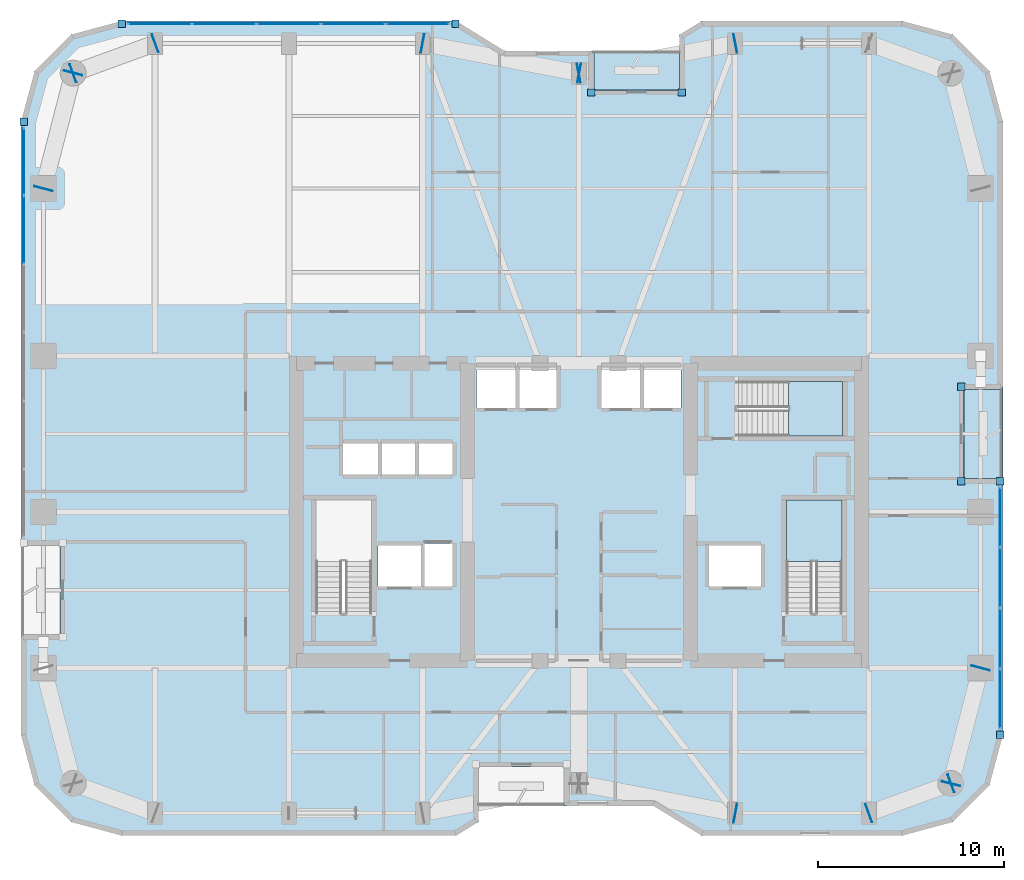
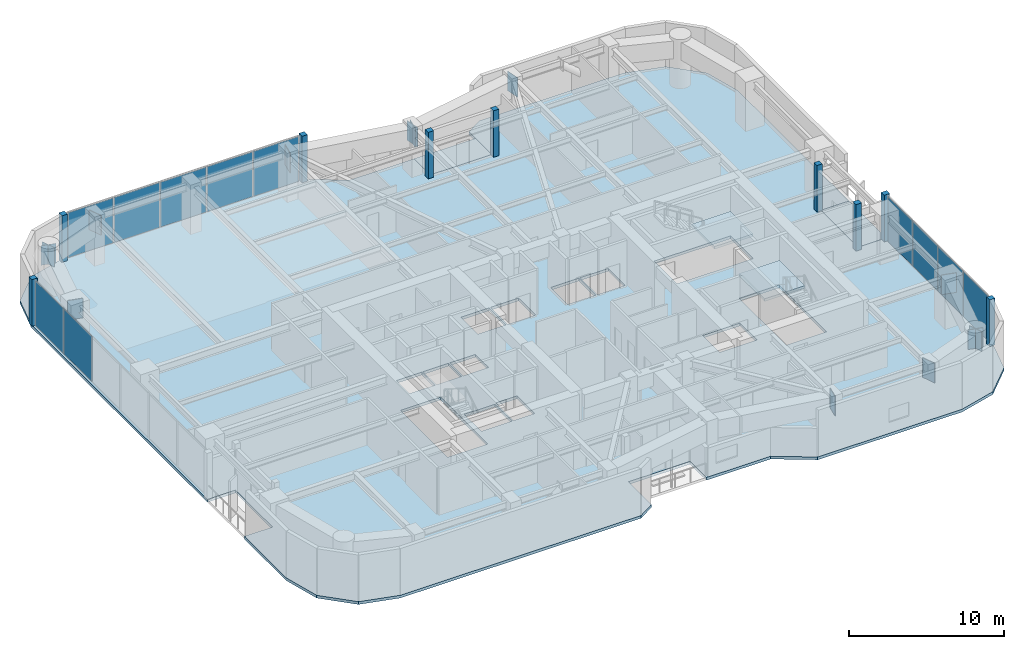
# One storey, part 22 of 30: 33 plates, 5 slabs, 5 elements without a shape of their own.
"""IFC4 building model written with IfcOpenShell, lengths in metres."""

import ifcopenshell
import ifcopenshell.guid

model = None  # the IFC model being written
_history = None  # IfcOwnerHistory: only IFC2X3 demands one
_inside = {}  # id of a spatial element -> (the spatial element, [elements in it])
_under = {}  # id of a project, library or spatial element -> (it, [spatial elements below it])
_declared = {}  # id of a project -> (the project, [libraries it declares])
_typed = {}  # id of a type object -> (the type object, [elements of that type])
_made_of = {}  # id of a material, layer set ... -> (it, [elements and type objects made of it])


def new_model(schema):
    """Start an empty IFC model of exactly this schema.

    Asked for "IFC4X3", IfcOpenShell would pick the latest addendum, in which some entities
    have other attributes; the version numbers below select the first issue.
    IFC2X3 requires an IfcOwnerHistory on every rooted entity: one is made here for all.
    """
    global model, _history
    if schema == "IFC4X3":
        model = ifcopenshell.file(schema_version=(4, 3, 0, 0))
    else:
        model = ifcopenshell.file(schema=schema)
    _inside.clear()
    _under.clear()
    _declared.clear()
    _typed.clear()
    _made_of.clear()
    _history = None
    if model.schema == "IFC2X3":
        org = make("IfcOrganization", Name="unknown")
        user = make(
            "IfcPersonAndOrganization",
            ThePerson=make("IfcPerson", FamilyName="unknown"),
            TheOrganization=org,
        )
        app = make(
            "IfcApplication",
            ApplicationDeveloper=org,
            Version="unknown",
            ApplicationFullName="unknown",
            ApplicationIdentifier="unknown",
        )
        _history = make(
            "IfcOwnerHistory",
            OwningUser=user,
            OwningApplication=app,
            ChangeAction="ADDED",
            CreationDate=0,
        )
    return model


def make(cls, **values):
    """One entity of the class cls with the attributes given. An attribute that is None is left unset."""
    return model.create_entity(
        cls, **{name: value for name, value in values.items() if value is not None}
    )


def rooted(cls, **values):
    """An entity with a GlobalId (a new one), such as an element, a storey or a relation."""
    return make(cls, GlobalId=ifcopenshell.guid.new(), OwnerHistory=_history, **values)


def si_unit(unit_type, name, prefix=None):
    """IfcSIUnit, for example si_unit("LENGTHUNIT", "METRE", prefix="MILLI")."""
    return make("IfcSIUnit", UnitType=unit_type, Prefix=prefix, Name=name)


def assignment(units):
    """IfcUnitAssignment: the units of a project."""
    return None if units is None else make("IfcUnitAssignment", Units=units)


def point(xyz):
    """IfcCartesianPoint."""
    return None if xyz is None else make("IfcCartesianPoint", Coordinates=xyz)


def direction(xyz):
    """IfcDirection."""
    return None if xyz is None else make("IfcDirection", DirectionRatios=xyz)


def frame(location, z_axis=None, x_axis=None):
    """IfcAxis2Placement3D, a coordinate frame: its origin and axes. An axis left out is left unset."""
    return make(
        "IfcAxis2Placement3D",
        Location=point(location),
        Axis=direction(z_axis),
        RefDirection=direction(x_axis),
    )


def frame_2d(location, x_axis=None):
    """IfcAxis2Placement2D, a coordinate frame in the plane: its origin and x axis."""
    return make(
        "IfcAxis2Placement2D", Location=point(location), RefDirection=direction(x_axis)
    )


def origin():
    """The frame at (0, 0, 0) with its axes left unset."""
    return frame((0.0, 0.0, 0.0))


def origin_2d():
    """The frame at (0, 0) in the plane with its x axis left unset."""
    return frame_2d((0.0, 0.0))


def place(relative_to, where):
    """IfcLocalPlacement: puts the frame where relative to a parent placement (None: the world)."""
    return make(
        "IfcLocalPlacement", PlacementRelTo=relative_to, RelativePlacement=where
    )


def context(
    kind, dimensions, precision=None, world=None, true_north=None, identifier=None
):
    """IfcGeometricRepresentationContext, for example the 3D "Model" context."""
    return make(
        "IfcGeometricRepresentationContext",
        ContextIdentifier=identifier,
        ContextType=kind,
        CoordinateSpaceDimension=dimensions,
        Precision=precision,
        WorldCoordinateSystem=world,
        TrueNorth=true_north,
    )


def subcontext(parent, identifier, kind, view, scale=None):
    """IfcGeometricRepresentationSubContext, for example "Body" below "Model"."""
    return make(
        "IfcGeometricRepresentationSubContext",
        ContextIdentifier=identifier,
        ContextType=kind,
        ParentContext=parent,
        TargetScale=scale,
        TargetView=view,
    )


def project(units=None, contexts=None):
    """IfcProject with its units and contexts."""
    return rooted(
        "IfcProject",
        Name="project",
        RepresentationContexts=contexts,
        UnitsInContext=assignment(units),
    )


def spatial(cls, under=None, at=None, **own):
    """A site, building, storey or space (cls), placed at a placement, below another one or the project."""
    s = rooted(cls, ObjectPlacement=at, **own)
    if under is not None:
        _under.setdefault(under.id(), (under, []))[1].append(s)
    return s


def polyline(points):
    """IfcPolyline through the points."""
    return make("IfcPolyline", Points=[point(p) for p in points])


def profile(cls, at=None, kind="AREA", **sizes):
    """A parametric profile (cls). Its sizes go by their IFC names, for example OverallWidth=200.0."""
    return make(cls, ProfileType=kind, Position=at, **sizes)


def rectangle(**sizes):
    """IfcRectangleProfileDef."""
    return profile("IfcRectangleProfileDef", **sizes)


def outline(outer, holes=None, kind="AREA"):
    """IfcArbitraryClosedProfileDef: a profile drawn as a closed curve; with holes, ...WithVoids."""
    if holes is None:
        return make("IfcArbitraryClosedProfileDef", ProfileType=kind, OuterCurve=outer)
    return make(
        "IfcArbitraryProfileDefWithVoids",
        ProfileType=kind,
        OuterCurve=outer,
        InnerCurves=holes,
    )


def extrude(swept, where, along, depth):
    """IfcExtrudedAreaSolid: the profile swept, set in the frame where, extruded along a direction by depth."""
    return make(
        "IfcExtrudedAreaSolid",
        SweptArea=swept,
        Position=where,
        ExtrudedDirection=direction(along),
        Depth=depth,
    )


def shape(context_of_items, identifier, shape_type, items):
    """IfcShapeRepresentation: the items that make up one representation, for example the "Body"."""
    return make(
        "IfcShapeRepresentation",
        ContextOfItems=context_of_items,
        RepresentationIdentifier=identifier,
        RepresentationType=shape_type,
        Items=items,
    )


def material(Name=None, Category=None):
    """IfcMaterial."""
    return make("IfcMaterial", Name=Name, Category=Category)


def layer(
    of_material, thickness, ventilated=None, Name=None, Category=None, Priority=None
):
    """IfcMaterialLayer: one layer of a wall or slab, of a material (None: an air gap)."""
    return make(
        "IfcMaterialLayer",
        Material=of_material,
        LayerThickness=thickness,
        IsVentilated=ventilated,
        Name=Name,
        Category=Category,
        Priority=Priority,
    )


def layer_set(layers, Name=None):
    """IfcMaterialLayerSet."""
    return make("IfcMaterialLayerSet", MaterialLayers=layers, LayerSetName=Name)


def made_of(thing, what):
    """Note that an element or type object is made of a material, layer set ...; save() writes the relation."""
    if what is not None:
        _made_of.setdefault(what.id(), (what, []))[1].append(thing)
    return thing


def type_object(cls, material=None, **own):
    """A type object (cls), such as IfcWallType, which elements share."""
    return made_of(rooted(cls, **own), material)


def element(
    cls,
    number,
    at=None,
    inside=None,
    cuts=None,
    type_object=None,
    material=None,
    context=None,
    identifier="Body",
    shape_type=None,
    held_by="IfcProductDefinitionShape",
    body=None,
    shapes=None,
    **own,
):
    """One element of the class cls, such as IfcWall. Its Tag is "e" and its number.

    at: its placement. inside: the storey or other place that contains it. cuts: it is an
    opening in that element (IfcRelVoidsElement). A single representation is given by context,
    identifier, shape_type and body (its items); several are given by shapes. held_by: the class
    of the entity that holds the representations. save() writes the other relations.
    """
    e = rooted(cls, Tag="e%d" % number, ObjectPlacement=at, **own)
    if body is not None:
        shapes = [shape(context, identifier, shape_type, body)]
    if shapes is not None:
        e.Representation = make(held_by, Representations=shapes)
    if inside is not None:
        _inside.setdefault(inside.id(), (inside, []))[1].append(e)
    if cuts is not None:
        rooted(
            "IfcRelVoidsElement", RelatingBuildingElement=cuts, RelatedOpeningElement=e
        )
    if type_object is not None:
        _typed.setdefault(type_object.id(), (type_object, []))[1].append(e)
    return made_of(e, material)


def aggregate(whole, parts):
    """IfcRelAggregates: a whole, such as a stair, and the parts it consists of."""
    return rooted("IfcRelAggregates", RelatingObject=whole, RelatedObjects=parts)


def save(model, path):
    """Write the relations noted so far, then the file.

    IfcRelAggregates (storeys below a building ...), IfcRelContainedInSpatialStructure (elements
    in a storey), IfcRelDefinesByType, IfcRelAssociatesMaterial and IfcRelDeclares: one each for
    every whole, place, type object, material and project.
    """
    for whole, parts in _under.values():
        aggregate(whole, parts)
    for where, things in _inside.values():
        rooted(
            "IfcRelContainedInSpatialStructure",
            RelatedElements=things,
            RelatingStructure=where,
        )
    for kind, things in _typed.values():
        rooted("IfcRelDefinesByType", RelatedObjects=things, RelatingType=kind)
    for what, things in _made_of.values():
        rooted("IfcRelAssociatesMaterial", RelatedObjects=things, RelatingMaterial=what)
    for by, libraries in _declared.values():
        rooted("IfcRelDeclares", RelatingContext=by, RelatedDefinitions=libraries)
    model.write(path)


model = new_model("IFC4")

# Units and contexts
model_context = context("Model", 3, precision=1e-05, world=origin(), true_north=direction((0.0, 1.0)))
body_context = subcontext(model_context, "Body", "Model", "MODEL_VIEW")
ifc_project = project(units=[si_unit("LENGTHUNIT", "METRE"), si_unit("AREAUNIT", "SQUARE_METRE"), si_unit("VOLUMEUNIT", "CUBIC_METRE"), si_unit("PLANEANGLEUNIT", "RADIAN"), si_unit("MASSUNIT", "GRAM", prefix="KILO")], contexts=[model_context])

# Site, building, storey
site_placement = place(None, origin())
site = spatial("IfcSite", under=ifc_project, at=site_placement, CompositionType="ELEMENT")
building_placement = place(site_placement, origin())
building = spatial("IfcBuilding", under=site, at=building_placement, Name="Kiyonajd Concourse Tower", CompositionType="ELEMENT")
storey_placement = place(building_placement, frame((0.0, 0.0, 150.60009765625)))
storey = spatial("IfcBuildingStorey", under=building, at=storey_placement, Name="L38", CompositionType="ELEMENT", Elevation=150.60009765625)

# Plates
ifc_material_1 = material(Name="Steel ASTM A572 Grade 50", Category="steel")
ifc_layer_1 = layer(ifc_material_1, 0.031982421875)
ifc_layer_set_1 = layer_set([ifc_layer_1], Name="Steel ASTM A572 Grade 50")
plate_type_1 = type_object("IfcPlateType", Name="PL-CAP-540", PredefinedType="USERDEFINED", material=ifc_layer_set_1)
for number, where, z_axis, x_axis, name in (
    (1, (56.410888671875, 19.7978515625, 2.2099609375), (0.0, 0.0, 1.0), (0.982352599301, -0.187038420242, 0.0), "L38 Welded Box Girder End Cap"),
    (2, (63.589599609375, 19.796142578125, 2.2099609375), (0.0, 0.0, 1.0), (-0.939811951086, -0.341692107891, 0.0), "L38 Welded Box Girder End Cap"),
    (3, (68.01025390625, 21.40380859375, 2.2099609375), (0.0, 0.0, 1.0), (0.939811951086, 0.341692107891, 0.0), "L38 Welded Box Girder End Cap"),
    (4, (67.997314453125, 21.389404296875, 2.2099609375), (0.0, 0.0, 1.0), (-0.249873048837, -0.968278606324, 0.0), "L38 Welded Box Girder End Cap"),
    (5, (69.602783203125, 27.610595703125, 2.2099609375), (0.0, 0.0, 1.0), (0.249873048837, 0.968278606324, 0.0), "L38 Welded Box Girder End Cap"),
    (6, (56.410888671875, 61.2021484375, 2.2099609375), (0.0, 0.0, 1.0), (0.982352599301, 0.187038420242, 0.0), "L38 Welded Box Girder End Cap"),
    (7, (47.9892578125, 59.597900390625, 2.2099609375), (0.0, 0.0, 1.0), (-0.982352599301, -0.187038420242, 0.0), "L38 Welded Box Girder End Cap"),
    (8, (48.0107421875, 59.597900390625, 2.2099609375), (0.0, 0.0, 1.0), (0.982352599301, -0.187038420242, 0.0), "L38 Welded Box Girder End Cap"),
    (9, (39.589111328125, 61.2021484375, 2.2099609375), (0.0, 0.0, 1.0), (-0.982352599301, 0.187038420242, 0.0), "L38 Welded Box Girder End Cap"),
    (10, (25.210205078125, 61.203857421875, 2.2099609375), (0.0, 0.0, 1.0), (0.939811951086, 0.341692107891, 0.0), "L38 Welded Box Girder End Cap"),
    (11, (20.789794921875, 59.59619140625, 2.2099609375), (0.0, 0.0, 1.0), (-0.939811951086, -0.341692107891, 0.0), "L38 Welded Box Girder End Cap"),
    (12, (20.802734375, 59.610595703125, 2.2099609375), (0.0, 0.0, 1.0), (0.249873048837, 0.968278606324, 0.0), "L38 Welded Box Girder End Cap"),
    (13, (19.197265625, 53.389404296875, 2.2099609375), (0.0, 0.0, 1.0), (-0.249873048837, -0.968278606324, 0.0), "L38 Welded Box Girder End Cap"),
):
    element("IfcPlate", number, at=place(storey_placement, frame(where, z_axis=z_axis, x_axis=x_axis)), inside=storey, type_object=plate_type_1, Name=name, ObjectType="CAP PLATE", PredefinedType="USERDEFINED", context=body_context, shape_type="SweptSolid", body=[
        extrude(rectangle(XDim=0.035888671875, YDim=1.02001953125, at=origin_2d()), origin(), (0.0, 0.0, 1.0), 1.5400390625),
    ])

# Curtain wall, plates
ifc_material_2 = material(Name="Thermally Broken Anodised Aluminium", Category="aluminium")
ifc_layer_2 = layer(ifc_material_2, 0.179931640625)
ifc_layer_set_2 = layer_set([ifc_layer_2], Name="Thermally Broken Anodised Aluminium")
curtain_wall_type = type_object("IfcCurtainWallType", Name="CW-SYS-03", PredefinedType="NOTDEFINED", material=ifc_layer_set_2)
curtain_wall_1_placement = place(storey_placement, origin())
curtain_wall_1 = element("IfcCurtainWall", 14, at=curtain_wall_1_placement, inside=storey, type_object=curtain_wall_type, Name="L38 Unitised Curtain Wall CW3", PredefinedType="NOTDEFINED")
ifc_material_3 = material(Name="Double Low-E Insulated Glass", Category="glass")
ifc_layer_3 = layer(ifc_material_3, 0.033935546875)
ifc_layer_set_3 = layer_set([ifc_layer_3], Name="Double Low-E Insulated Glass")
plate_type_2 = type_object("IfcPlateType", Name="PL-CW-VIS34", PredefinedType="CURTAIN_PANEL", material=ifc_layer_set_3)
plate_1_placement = place(storey_placement, frame((18.139892578125, 51.17626953125, 0.06494140625), z_axis=(0.0, 0.0, 1.0), x_axis=(0.0, 1.0, 0.0)))
plate_1 = element("IfcPlate", 15, at=plate_1_placement, type_object=plate_type_2, Name="CW3 panel 5.1", PredefinedType="CURTAIN_PANEL", context=body_context, shape_type="SweptSolid", body=[
    extrude(rectangle(XDim=3.61181640625, YDim=0.033935546875, at=origin_2d()), origin(), (0.0, 0.0, 1.0), 3.550048828125),
])
plate_2_placement = place(storey_placement, frame((18.139892578125, 54.8369140625, 0.06494140625), z_axis=(0.0, 0.0, 1.0), x_axis=(0.0, 1.0, 0.0)))
plate_2 = element("IfcPlate", 16, at=plate_2_placement, type_object=plate_type_2, Name="CW3 panel 6.1", PredefinedType="CURTAIN_PANEL", context=body_context, shape_type="SweptSolid", body=[
    extrude(rectangle(XDim=3.579345703125, YDim=0.033935546875, at=origin_2d()), origin(), (0.0, 0.0, 1.0), 3.550048828125),
])
aggregate(curtain_wall_1, [plate_1, plate_2])

curtain_wall_2_placement = place(storey_placement, origin())
curtain_wall_2 = element("IfcCurtainWall", 17, at=curtain_wall_2_placement, inside=storey, type_object=curtain_wall_type, Name="L38 Unitised Curtain Wall CW3", PredefinedType="NOTDEFINED")
plate_3_placement = place(storey_placement, frame((25.4609375, 62.260009765625, 0.06494140625), z_axis=(0.0, 0.0, 1.0), x_axis=(1.0, 0.0, 0.0)))
plate_3 = element("IfcPlate", 18, at=plate_3_placement, type_object=plate_type_2, Name="CW3 panel 1.1", PredefinedType="CURTAIN_PANEL", context=body_context, shape_type="SweptSolid", body=[
    extrude(rectangle(XDim=3.375, YDim=0.033935546875, at=origin_2d()), origin(), (0.0, 0.0, 1.0), 3.550048828125),
])
plate_4_placement = place(storey_placement, frame((28.9169921875, 62.260009765625, 0.06494140625), z_axis=(0.0, 0.0, 1.0), x_axis=(1.0, 0.0, 0.0)))
plate_4 = element("IfcPlate", 19, at=plate_4_placement, type_object=plate_type_2, Name="CW3 panel 2.1", PredefinedType="CURTAIN_PANEL", context=body_context, shape_type="SweptSolid", body=[
    extrude(rectangle(XDim=3.407470703125, YDim=0.033935546875, at=origin_2d()), origin(), (0.0, 0.0, 1.0), 3.550048828125),
])
plate_5_placement = place(storey_placement, frame((32.389404296875, 62.260009765625, 0.06494140625), z_axis=(0.0, 0.0, 1.0), x_axis=(1.0, 0.0, 0.0)))
plate_5 = element("IfcPlate", 20, at=plate_5_placement, type_object=plate_type_2, Name="CW3 panel 3.1", PredefinedType="CURTAIN_PANEL", context=body_context, shape_type="SweptSolid", body=[
    extrude(rectangle(XDim=3.407470703125, YDim=0.033935546875, at=origin_2d()), origin(), (0.0, 0.0, 1.0), 3.550048828125),
])
plate_6_placement = place(storey_placement, frame((35.86181640625, 62.260009765625, 0.06494140625), z_axis=(0.0, 0.0, 1.0), x_axis=(1.0, 0.0, 0.0)))
plate_6 = element("IfcPlate", 21, at=plate_6_placement, type_object=plate_type_2, Name="CW3 panel 4.1", PredefinedType="CURTAIN_PANEL", context=body_context, shape_type="SweptSolid", body=[
    extrude(rectangle(XDim=3.407470703125, YDim=0.033935546875, at=origin_2d()), origin(), (0.0, 0.0, 1.0), 3.550048828125),
])
plate_7_placement = place(storey_placement, frame((39.31787109375, 62.260009765625, 0.06494140625), z_axis=(0.0, 0.0, 1.0), x_axis=(1.0, 0.0, 0.0)))
plate_7 = element("IfcPlate", 22, at=plate_7_placement, type_object=plate_type_2, Name="CW3 panel 5.1", PredefinedType="CURTAIN_PANEL", context=body_context, shape_type="SweptSolid", body=[
    extrude(rectangle(XDim=3.375, YDim=0.033935546875, at=origin_2d()), origin(), (0.0, 0.0, 1.0), 3.550048828125),
])
aggregate(curtain_wall_2, [plate_3, plate_4, plate_5, plate_6, plate_7])

curtain_wall_3_placement = place(storey_placement, origin())
curtain_wall_3 = element("IfcCurtainWall", 23, at=curtain_wall_3_placement, inside=storey, type_object=curtain_wall_type, Name="L38 Unitised Curtain Wall CW3", PredefinedType="NOTDEFINED")
plate_8_placement = place(storey_placement, frame((70.659912109375, 35.720947265625, 0.06494140625), z_axis=(0.0, 0.0, 1.0), x_axis=(0.0, -1.0, 0.0)))
plate_8 = element("IfcPlate", 24, at=plate_8_placement, type_object=plate_type_2, Name="CW3 panel 1.1", PredefinedType="CURTAIN_PANEL", context=body_context, shape_type="SweptSolid", body=[
    extrude(rectangle(XDim=3.16796875, YDim=0.033935546875, at=origin_2d()), origin(), (0.0, 0.0, 1.0), 3.550048828125),
])
plate_9_placement = place(storey_placement, frame((70.659912109375, 32.471923828125, 0.06494140625), z_axis=(0.0, 0.0, 1.0), x_axis=(0.0, -1.0, 0.0)))
plate_9 = element("IfcPlate", 25, at=plate_9_placement, type_object=plate_type_2, Name="CW3 panel 2.1", PredefinedType="CURTAIN_PANEL", context=body_context, shape_type="SweptSolid", body=[
    extrude(rectangle(XDim=3.200439453125, YDim=0.033935546875, at=origin_2d()), origin(), (0.0, 0.0, 1.0), 3.550048828125),
])
plate_10_placement = place(storey_placement, frame((70.659912109375, 29.20654296875, 0.06494140625), z_axis=(0.0, 0.0, 1.0), x_axis=(0.0, -1.0, 0.0)))
plate_10 = element("IfcPlate", 26, at=plate_10_placement, type_object=plate_type_2, Name="CW3 panel 3.1", PredefinedType="CURTAIN_PANEL", context=body_context, shape_type="SweptSolid", body=[
    extrude(rectangle(XDim=3.200439453125, YDim=0.033935546875, at=origin_2d()), origin(), (0.0, 0.0, 1.0), 3.550048828125),
])
plate_11_placement = place(storey_placement, frame((70.659912109375, 25.957275390625, 0.06494140625), z_axis=(0.0, 0.0, 1.0), x_axis=(0.0, -1.0, 0.0)))
plate_11 = element("IfcPlate", 27, at=plate_11_placement, type_object=plate_type_2, Name="CW3 panel 4.1", PredefinedType="CURTAIN_PANEL", context=body_context, shape_type="SweptSolid", body=[
    extrude(rectangle(XDim=3.16796875, YDim=0.033935546875, at=origin_2d()), origin(), (0.0, 0.0, 1.0), 3.550048828125),
])
aggregate(curtain_wall_3, [plate_8, plate_9, plate_10, plate_11])

# Plates
ifc_layer_4 = layer(ifc_material_2, 0.39990234375)
ifc_layer_set_4 = layer_set([ifc_layer_4], Name="Thermally Broken Anodised Aluminium")
plate_type_3 = type_object("IfcPlateType", Name="PL-JMB-400", PredefinedType="USERDEFINED", material=ifc_layer_set_4)
for number, where, z_axis, x_axis, name in (
    (28, (18.139892578125, 56.981689453125, 0.0), (0.0, 0.0, 1.0), (1.0, 0.0, 0.0), "L38 Facade Jamb Closure Plate 04"),
    (29, (23.41845703125, 62.260009765625, 0.0), (0.0, 0.0, 1.0), (1.0, 0.0, 0.0), "L38 Facade Jamb Closure Plate 05"),
    (30, (41.3603515625, 62.260009765625, 0.0), (0.0, 0.0, 1.0), (1.0, 0.0, 0.0), "L38 Facade Jamb Closure Plate 06"),
    (31, (48.659912109375, 58.56005859375, 0.0), (0.0, 0.0, 1.0), (1.0, 0.0, 0.0), "L38 Facade Jamb Closure Plate 07"),
    (32, (53.5400390625, 58.56005859375, 0.0), (0.0, 0.0, 1.0), (1.0, 0.0, 0.0), "L38 Facade Jamb Closure Plate 08"),
    (33, (68.56005859375, 42.739990234375, 0.0), (0.0, 0.0, 1.0), (1.0, 0.0, 0.0), "L38 Facade Jamb Closure Plate 09"),
    (34, (68.56005859375, 37.659912109375, 0.0), (0.0, 0.0, 1.0), (1.0, 0.0, 0.0), "L38 Facade Jamb Closure Plate 10"),
    (35, (70.659912109375, 37.659912109375, 0.0), (0.0, 0.0, 1.0), (1.0, 0.0, 0.0), "L38 Facade Jamb Closure Plate 11"),
    (36, (70.659912109375, 24.018310546875, 0.0), (0.0, 0.0, 1.0), (1.0, 0.0, 0.0), "L38 Facade Jamb Closure Plate 12"),
):
    element("IfcPlate", number, at=place(storey_placement, frame(where, z_axis=z_axis, x_axis=x_axis)), inside=storey, type_object=plate_type_3, Name=name, ObjectType="JAMB PLATE", PredefinedType="USERDEFINED", context=body_context, shape_type="SweptSolid", body=[
        extrude(rectangle(XDim=0.39990234375, YDim=0.39990234375, at=origin_2d()), origin(), (0.0, 0.0, 1.0), 3.679931640625),
    ])

# Stair, slab
ifc_material_4 = material(Name="Concrete C40/50", Category="concrete")
stair_type = type_object("IfcStairType", Name="ST-DLG-22R", PredefinedType="HALF_TURN_STAIR", material=ifc_material_4)
stair_1_placement = place(storey_placement, origin())
stair_1 = element("IfcStair", 37, at=stair_1_placement, inside=storey, type_object=stair_type, Name="L38 Protected Exit Stair ST2", PredefinedType="HALF_TURN_STAIR")
ifc_layer_5 = layer(ifc_material_4, 0.199951171875)
ifc_layer_set_5 = layer_set([ifc_layer_5], Name="Concrete C40/50")
slab_type_1 = type_object("IfcSlabType", Name="SL-LND-200", PredefinedType="LANDING", material=ifc_layer_set_5)
slab_1_placement = place(storey_placement, frame((0.0, 0.0, 1.75)))
slab_1 = element("IfcSlab", 38, at=slab_1_placement, type_object=slab_type_1, Name="ST2 landing 1", PredefinedType="LANDING", context=body_context, shape_type="SweptSolid", body=[
    extrude(outline(polyline([(62.14990234375, 33.35009765625), (62.14990234375, 36.64990234375), (59.14990234375, 36.64990234375), (59.14990234375, 33.35009765625), (62.14990234375, 33.35009765625)])), origin(), (0.0, 0.0, 1.0), 0.199951171875),
])
aggregate(stair_1, [slab_1])

stair_2_placement = place(storey_placement, origin())
stair_2 = element("IfcStair", 39, at=stair_2_placement, inside=storey, type_object=stair_type, Name="L38 Protected Exit Stair ST3", PredefinedType="HALF_TURN_STAIR")
slab_2_placement = place(storey_placement, frame((0.0, 0.0, 1.75)))
slab_2 = element("IfcSlab", 40, at=slab_2_placement, type_object=slab_type_1, Name="ST3 landing 1", PredefinedType="LANDING", context=body_context, shape_type="SweptSolid", body=[
    extrude(outline(polyline([(59.280029296875, 40.080078125), (62.179931640625, 40.080078125), (62.179931640625, 43.02001953125), (59.280029296875, 43.02001953125), (59.280029296875, 40.080078125)])), origin(), (0.0, 0.0, 1.0), 0.199951171875),
])
aggregate(stair_2, [slab_2])

# Slabs
ifc_material_5 = material(Name="Precast concrete C50/60", Category="concrete")
ifc_layer_6 = layer(ifc_material_5, 0.199951171875)
ifc_layer_set_6 = layer_set([ifc_layer_6], Name="Precast concrete C50/60")
slab_type_2 = type_object("IfcSlabType", Name="SL-LOG-200", PredefinedType="FLOOR", material=ifc_layer_set_6)
slab_3_placement = place(storey_placement, frame((0.0, 0.0, -0.2001953125)))
element("IfcSlab", 41, at=slab_3_placement, inside=storey, type_object=slab_type_2, Name="L38 Recessed Engawa Loggia Terrace Slab LOG-N", PredefinedType="FLOOR", context=body_context, shape_type="SweptSolid", body=[
    extrude(outline(polyline([(48.800048828125, 58.699951171875), (53.39990234375, 58.699951171875), (53.39990234375, 60.800048828125), (48.800048828125, 60.800048828125), (48.800048828125, 58.699951171875)])), origin(), (0.0, 0.0, 1.0), 0.2001953125),
])
slab_4_placement = place(storey_placement, frame((0.0, 0.0, -0.2001953125)))
element("IfcSlab", 42, at=slab_4_placement, inside=storey, type_object=slab_type_2, Name="L38 Recessed Engawa Loggia Terrace Slab LOG-E", PredefinedType="FLOOR", context=body_context, shape_type="SweptSolid", body=[
    extrude(outline(polyline([(68.699951171875, 37.800048828125), (70.800048828125, 37.800048828125), (70.800048828125, 42.60009765625), (68.699951171875, 42.60009765625), (68.699951171875, 37.800048828125)])), origin(), (0.0, 0.0, 1.0), 0.2001953125),
])
ifc_layer_7 = layer(ifc_material_4, 0.219970703125)
ifc_layer_set_7 = layer_set([ifc_layer_7], Name="Concrete C40/50")
slab_type_3 = type_object("IfcSlabType", Name="SL-TWR-220", PredefinedType="FLOOR", material=ifc_layer_set_7)
slab_5_placement = place(storey_placement, frame((0.0, 0.0, -0.22021484375)))
element("IfcSlab", 43, at=slab_5_placement, inside=storey, type_object=slab_type_3, Name="L38 Tower Conditioned Floor Slab", PredefinedType="FLOOR", context=body_context, shape_type="SweptSolid", body=[
    extrude(outline(polyline([(18.722900390625, 21.300048828125), (18.0, 24.0), (18.0, 29.39990234375), (20.10009765625, 29.39990234375), (20.10009765625, 34.199951171875), (18.0, 34.199951171875), (18.0, 57.0), (18.722900390625, 59.699951171875), (20.699951171875, 61.677001953125), (23.39990234375, 62.39990234375), (41.39990234375, 62.39990234375), (44.0, 60.800048828125), (48.800048828125, 60.800048828125), (48.800048828125, 58.699951171875), (53.39990234375, 58.699951171875), (53.39990234375, 61.662109375), (54.60009765625, 62.39990234375), (65.39990234375, 62.39990234375), (68.10009765625, 61.677001953125), (70.076904296875, 59.699951171875), (70.800048828125, 57.0), (70.800048828125, 42.60009765625), (68.699951171875, 42.60009765625), (68.699951171875, 37.800048828125), (70.800048828125, 37.800048828125), (70.800048828125, 24.0), (70.076904296875, 21.300048828125), (68.10009765625, 19.322998046875), (65.39990234375, 18.60009765625), (54.60009765625, 18.60009765625), (52.0, 20.199951171875), (47.199951171875, 20.199951171875), (47.199951171875, 22.300048828125), (42.60009765625, 22.300048828125), (42.60009765625, 19.337890625), (41.39990234375, 18.60009765625), (23.39990234375, 18.60009765625), (20.699951171875, 19.322998046875), (18.722900390625, 21.300048828125)]), holes=[polyline([(39.5, 32.0), (37.199951171875, 32.0), (37.199951171875, 34.199951171875), (39.5, 34.199951171875), (39.5, 32.0)]), polyline([(39.60009765625, 32.0), (39.60009765625, 34.300048828125), (41.199951171875, 34.300048828125), (41.199951171875, 32.0), (39.60009765625, 32.0)]), polyline([(33.85009765625, 30.550048828125), (33.85009765625, 36.64990234375), (36.85009765625, 36.64990234375), (36.85009765625, 30.550048828125), (33.85009765625, 30.550048828125)]), polyline([(37.199951171875, 38.0), (35.300048828125, 38.0), (35.300048828125, 39.699951171875), (37.199951171875, 39.699951171875), (37.199951171875, 38.0)]), polyline([(37.300048828125, 38.0), (37.300048828125, 39.699951171875), (39.199951171875, 39.699951171875), (39.199951171875, 38.0), (37.300048828125, 38.0)]), polyline([(39.300048828125, 38.0), (39.300048828125, 39.699951171875), (41.199951171875, 39.699951171875), (41.199951171875, 38.0), (39.300048828125, 38.0)]), polyline([(44.60009765625, 41.60009765625), (42.5, 41.60009765625), (42.5, 43.800048828125), (44.60009765625, 43.800048828125), (44.60009765625, 41.60009765625)]), polyline([(55.0, 32.0), (55.0, 34.199951171875), (57.800048828125, 34.199951171875), (57.800048828125, 32.0), (55.0, 32.0)]), polyline([(59.14990234375, 30.550048828125), (59.14990234375, 36.64990234375), (62.14990234375, 36.64990234375), (62.14990234375, 30.550048828125), (59.14990234375, 30.550048828125)]), polyline([(56.47998046875, 43.02001953125), (62.179931640625, 43.02001953125), (62.179931640625, 40.080078125), (56.47998046875, 40.080078125), (56.47998046875, 43.02001953125)]), polyline([(44.699951171875, 41.60009765625), (44.699951171875, 43.800048828125), (46.800048828125, 43.800048828125), (46.800048828125, 41.60009765625), (44.699951171875, 41.60009765625)]), polyline([(49.199951171875, 41.60009765625), (49.199951171875, 43.800048828125), (51.300048828125, 43.800048828125), (51.300048828125, 41.60009765625), (49.199951171875, 41.60009765625)]), polyline([(51.39990234375, 41.60009765625), (51.39990234375, 43.800048828125), (53.5, 43.800048828125), (53.5, 41.60009765625), (51.39990234375, 41.60009765625)])]), origin(), (0.0, 0.0, 1.0), 0.22021484375),
])

save(model, "model.ifc")
